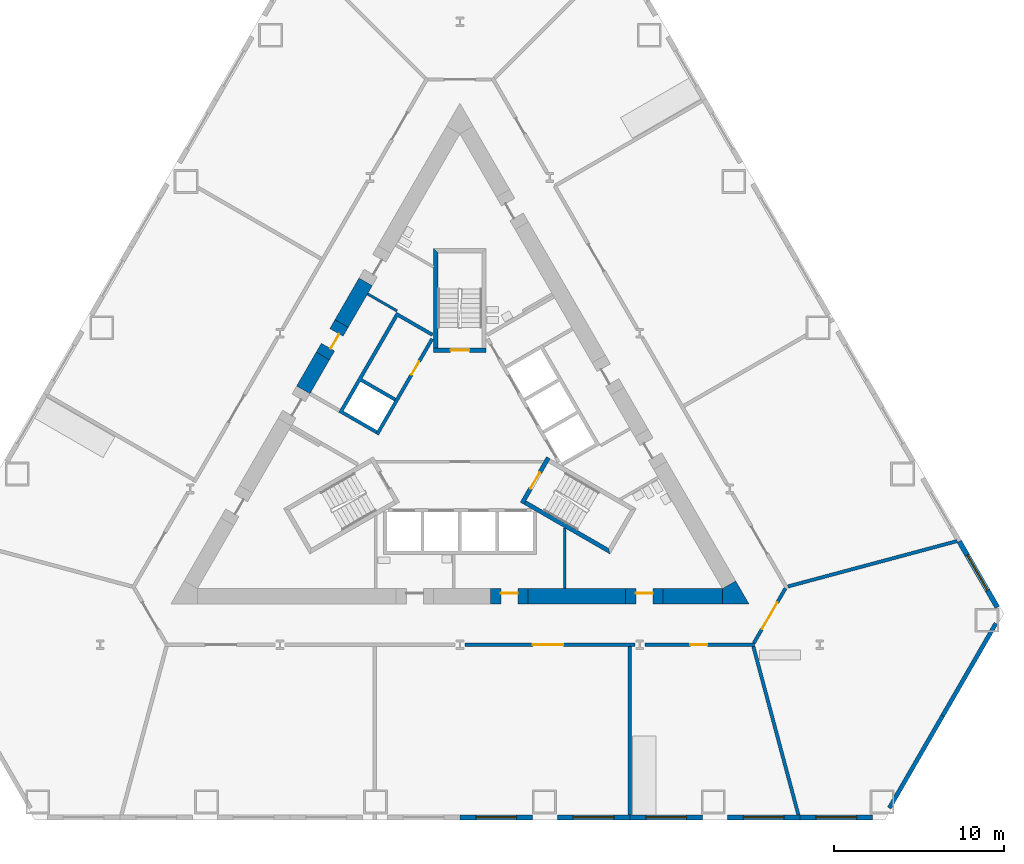
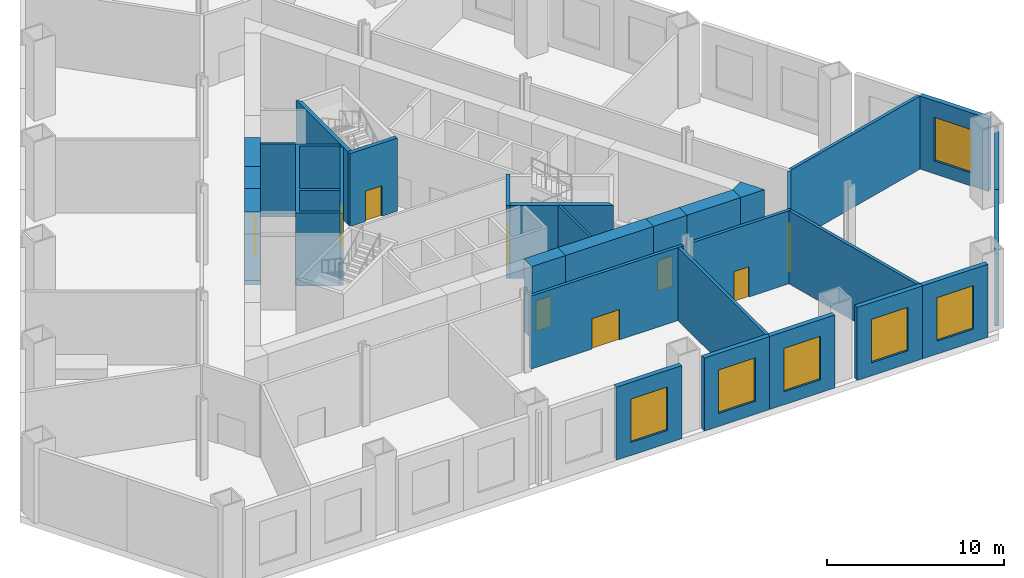
# One storey, part 3 of 9: 30 walls, 9 doors, 6 windows, 15 openings.
"""IFC4 building model written with IfcOpenShell, lengths in metres."""

from ifc_helpers import new_model, si_unit, direction, frame, frame_2d, origin, place, context, subcontext, project, spatial, polyline, rectangle, outline, extrude, material, layer, layer_set, type_object, element, fill, save


model = new_model("IFC4")

# Units and contexts
model_context = context("Model", 3, precision=1e-05, world=origin(), true_north=direction((0.0, 1.0)))
body_context = subcontext(model_context, "Body", "Model", "MODEL_VIEW")
ifc_project = project(units=[si_unit("LENGTHUNIT", "METRE"), si_unit("AREAUNIT", "SQUARE_METRE"), si_unit("VOLUMEUNIT", "CUBIC_METRE"), si_unit("PLANEANGLEUNIT", "RADIAN"), si_unit("MASSUNIT", "GRAM", prefix="KILO")], contexts=[model_context])

# Site, building, storey
site_placement = place(None, origin())
site = spatial("IfcSite", under=ifc_project, at=site_placement, CompositionType="ELEMENT")
building_placement = place(site_placement, origin())
building = spatial("IfcBuilding", under=site, at=building_placement, Name="Cormorant Prow Tower", CompositionType="ELEMENT")
storey_placement = place(building_placement, frame((0.0, 0.0, 15.5)))
storey = spatial("IfcBuildingStorey", under=building, at=storey_placement, Name="L02", CompositionType="ELEMENT", Elevation=15.5)

# Walls
ifc_material_1 = material(Name="Gypsum board partition")
ifc_layer_1 = layer(ifc_material_1, 0.14990234375)
ifc_layer_set_1 = layer_set([ifc_layer_1], Name="Gypsum board partition")
wall_type_1 = type_object("IfcWallType", Name="Core partition 150", PredefinedType="PARTITIONING", material=ifc_layer_set_1)
wall_1_placement = place(storey_placement, frame((-3.693359375, 7.4150390625, 0.0), z_axis=(0.0, 0.0, 1.0), x_axis=(-0.866035824272, 0.499981950752, 0.0)))
element("IfcWall", 1, at=wall_1_placement, inside=storey, type_object=wall_type_1, Name="Service room partition", PredefinedType="PARTITIONING", context=body_context, shape_type="SweptSolid", body=[
    extrude(rectangle(XDim=2.0087890625, YDim=0.14990234375, at=frame_2d((1.00439453125, 0.0))), origin(), (0.0, 0.0, 1.0), 5.050048828125),
])
wall_2_placement = place(storey_placement, frame((6.176513671875, -8.9150390625, 0.0), z_axis=(0.0, 0.0, 1.0), x_axis=(0.0, 1.0, 0.0)))
element("IfcWall", 2, at=wall_2_placement, inside=storey, type_object=wall_type_1, Name="Service room partition", PredefinedType="PARTITIONING", context=body_context, shape_type="SweptSolid", body=[
    extrude(rectangle(XDim=3.576171875, YDim=0.14990234375, at=frame_2d((1.7880859375, 0.0))), origin(), (0.0, 0.0, 1.0), 5.050048828125),
])
ifc_material_2 = material(Name="Concrete 8000 psi", Category="concrete")
ifc_layer_2 = layer(ifc_material_2, 0.89990234375)
ifc_layer_set_2 = layer_set([ifc_layer_2], Name="Concrete 8000 psi")
wall_type_2 = type_object("IfcWallType", Name="Core shear wall 900", PredefinedType="SHEAR", material=ifc_layer_set_2)
wall_3_placement = place(storey_placement, frame((4.007568359375, -9.364990234375, 0.0), z_axis=(0.0, 0.0, 1.0), x_axis=(1.0, 0.0, 0.0)))
element("IfcWall", 3, at=wall_3_placement, inside=storey, type_object=wall_type_2, Name="Core wall", PredefinedType="SHEAR", context=body_context, shape_type="SweptSolid", body=[
    extrude(rectangle(XDim=5.73876953125, YDim=0.89990234375, at=frame_2d((2.869384765625, 0.0))), origin(), (0.0, 0.0, 1.0), 5.050048828125),
])
wall_4_placement = place(storey_placement, frame((11.9462890625, -9.364990234375, 0.0), z_axis=(0.0, 0.0, 1.0), x_axis=(1.0, 0.0, 0.0)))
element("IfcWall", 4, at=wall_4_placement, inside=storey, type_object=wall_type_2, Name="Core wall", PredefinedType="SHEAR", context=body_context, shape_type="SweptSolid", body=[
    extrude(rectangle(XDim=3.494873046875, YDim=0.89990234375, at=frame_2d((1.74755859375, 0.0))), origin(), (0.0, 0.0, 1.0), 5.050048828125),
])
wall_5_placement = place(storey_placement, frame((-5.544677734375, 9.126220703125, 0.0), z_axis=(0.0, 0.0, 1.0), x_axis=(-0.499978737809, -0.866037679168, 0.0)))
element("IfcWall", 5, at=wall_5_placement, inside=storey, type_object=wall_type_2, Name="Core wall", PredefinedType="SHEAR", context=body_context, shape_type="SweptSolid", body=[
    extrude(rectangle(XDim=2.8310546875, YDim=0.89990234375, at=frame_2d((1.41552734375, 0.0))), origin(), (0.0, 0.0, 1.0), 5.050048828125),
])
wall_6_placement = place(storey_placement, frame((-8.060302734375, 4.76904296875, 0.0), z_axis=(0.0, 0.0, 1.0), x_axis=(-0.499952165731, -0.866053019151, 0.0)))
element("IfcWall", 6, at=wall_6_placement, inside=storey, type_object=wall_type_2, Name="Core wall", PredefinedType="SHEAR", context=body_context, shape_type="SweptSolid", body=[
    extrude(rectangle(XDim=2.300048828125, YDim=0.89990234375, at=frame_2d((1.14990234375, 0.0))), origin(), (0.0, 0.0, 1.0), 5.050048828125),
])
wall_7_placement = place(storey_placement, origin())
element("IfcWall", 7, at=wall_7_placement, inside=storey, type_object=wall_type_2, Name="Core wall corner", PredefinedType="SHEAR", context=body_context, shape_type="SweptSolid", body=[
    extrude(outline(polyline([(15.441162109375, -9.81494140625), (15.441162109375, -8.9150390625), (16.220703125, -8.465087890625), (17.0, -9.81494140625), (15.441162109375, -9.81494140625)])), origin(), (0.0, 0.0, 1.0), 5.050048828125),
])

# Wall, opening, door
wall_8_placement = place(storey_placement, frame((1.8076171875, -9.364990234375, 0.0), z_axis=(0.0, 0.0, 1.0), x_axis=(1.0, 0.0, 0.0)))
wall_8 = element("IfcWall", 8, at=wall_8_placement, inside=storey, type_object=wall_type_2, Name="Core wall door panel", PredefinedType="SHEAR", context=body_context, shape_type="SweptSolid", body=[
    extrude(rectangle(XDim=2.199951171875, YDim=0.89990234375, at=frame_2d((1.10009765625, 0.0))), origin(), (0.0, 0.0, 1.0), 5.050048828125),
])
opening_1_placement = place(wall_8_placement, frame((0.60009765625, 0.0, 0.0)))
opening_1 = element("IfcOpeningElement", 9, at=opening_1_placement, cuts=wall_8, Name="Opening L02-C15", PredefinedType="OPENING", context=body_context, shape_type="SweptSolid", body=[
    extrude(rectangle(XDim=1.0, YDim=2.10009765625, at=frame_2d((0.5, 1.050048828125))), frame((0.0, 0.4599609375, 0.0), z_axis=(0.0, -1.0, 0.0), x_axis=(1.0, 0.0, 0.0)), (0.0, 0.0, 1.0), 0.919921875),
])
ifc_material_3 = material(Name="Painted steel", Category="steel")
door_type_1 = type_object("IfcDoorType", Name="Service door 1000x2100", OperationType="NOTDEFINED", PredefinedType="DOOR", material=ifc_material_3)
door_1_placement = place(opening_1_placement, origin())
door_1 = element("IfcDoor", 10, at=door_1_placement, inside=storey, type_object=door_type_1, Name="Core door, Electrical room", OperationType="SINGLE_SWING_LEFT", OverallHeight=2.10009765625, OverallWidth=1.0, PredefinedType="DOOR", context=body_context, shape_type="SweptSolid", body=[
    extrude(rectangle(XDim=1.0, YDim=2.10009765625, at=frame_2d((0.5, 1.050048828125))), frame((0.0, 0.205078125, 0.0), z_axis=(0.0, -1.0, 0.0), x_axis=(1.0, 0.0, 0.0)), (0.0, 0.0, 1.0), 0.050048828125),
])
fill(opening_1, door_1)

wall_9_placement = place(storey_placement, frame((9.746337890625, -9.364990234375, 0.0), z_axis=(0.0, 0.0, 1.0), x_axis=(1.0, 0.0, 0.0)))
wall_9 = element("IfcWall", 11, at=wall_9_placement, inside=storey, type_object=wall_type_2, Name="Core wall door panel", PredefinedType="SHEAR", context=body_context, shape_type="SweptSolid", body=[
    extrude(rectangle(XDim=2.199951171875, YDim=0.89990234375, at=frame_2d((1.10009765625, 0.0))), origin(), (0.0, 0.0, 1.0), 5.050048828125),
])
opening_2_placement = place(wall_9_placement, frame((0.60009765625, 0.0, 0.0)))
opening_2 = element("IfcOpeningElement", 12, at=opening_2_placement, cuts=wall_9, Name="Opening L02-C16", PredefinedType="OPENING", context=body_context, shape_type="SweptSolid", body=[
    extrude(rectangle(XDim=1.0, YDim=2.10009765625, at=frame_2d((0.5, 1.050048828125))), frame((0.0, 0.4599609375, 0.0), z_axis=(0.0, -1.0, 0.0), x_axis=(1.0, 0.0, 0.0)), (0.0, 0.0, 1.0), 0.919921875),
])
door_2_placement = place(opening_2_placement, origin())
door_2 = element("IfcDoor", 13, at=door_2_placement, inside=storey, type_object=door_type_1, Name="Core door, Toilets (men) L02", OperationType="SINGLE_SWING_LEFT", OverallHeight=2.10009765625, OverallWidth=1.0, PredefinedType="DOOR", context=body_context, shape_type="SweptSolid", body=[
    extrude(rectangle(XDim=1.0, YDim=2.10009765625, at=frame_2d((0.5, 1.050048828125))), frame((0.0, 0.205078125, 0.0), z_axis=(0.0, -1.0, 0.0), x_axis=(1.0, 0.0, 0.0)), (0.0, 0.0, 1.0), 0.050048828125),
])
fill(opening_2, door_2)

wall_10_placement = place(storey_placement, frame((-6.960205078125, 6.67431640625, 0.0), z_axis=(0.0, 0.0, 1.0), x_axis=(-0.50002983664, -0.866008176907, 0.0)))
wall_10 = element("IfcWall", 14, at=wall_10_placement, inside=storey, type_object=wall_type_2, Name="Core wall door panel", PredefinedType="SHEAR", context=body_context, shape_type="SweptSolid", body=[
    extrude(rectangle(XDim=2.199951171875, YDim=0.89990234375, at=frame_2d((1.10009765625, 0.0))), origin(), (0.0, 0.0, 1.0), 5.050048828125),
])
opening_3_placement = place(wall_10_placement, frame((0.60009765625, 0.0, 0.0)))
opening_3 = element("IfcOpeningElement", 15, at=opening_3_placement, cuts=wall_10, Name="Opening L02-C20", PredefinedType="OPENING", context=body_context, shape_type="SweptSolid", body=[
    extrude(rectangle(XDim=1.0, YDim=2.10009765625, at=frame_2d((0.5, 1.050048828125))), frame((0.0, 0.4599609375, 0.0), z_axis=(0.0, -1.0, 0.0), x_axis=(1.0, 0.0, 0.0)), (0.0, 0.0, 1.0), 0.919921875),
])
door_3_placement = place(opening_3_placement, origin())
door_3 = element("IfcDoor", 16, at=door_3_placement, inside=storey, type_object=door_type_1, Name="Core door, Linen store", OperationType="SINGLE_SWING_LEFT", OverallHeight=2.10009765625, OverallWidth=1.0, PredefinedType="DOOR", context=body_context, shape_type="SweptSolid", body=[
    extrude(rectangle(XDim=1.0, YDim=2.10009765625, at=frame_2d((0.5, 1.050048828125))), frame((0.0, 0.205078125, 0.0), z_axis=(0.0, -1.0, 0.0), x_axis=(1.0, 0.0, 0.0)), (0.0, 0.0, 1.0), 0.050048828125),
])
fill(opening_3, door_3)

ifc_material_4 = material(Name="Gypsum board corridor wall")
ifc_layer_3 = layer(ifc_material_4, 0.199951171875)
ifc_layer_set_3 = layer_set([ifc_layer_3], Name="Gypsum board corridor wall")
wall_type_3 = type_object("IfcWallType", Name="Corridor wall 200", PredefinedType="PARTITIONING", material=ifc_layer_set_3)
wall_11_placement = place(storey_placement, frame((0.294921875, -12.215087890625, 0.0), z_axis=(0.0, 0.0, 1.0), x_axis=(1.0, 0.0, 0.0)))
wall_11 = element("IfcWall", 17, at=wall_11_placement, inside=storey, type_object=wall_type_3, Name="Corridor wall", PredefinedType="PARTITIONING", context=body_context, shape_type="SweptSolid", body=[
    extrude(rectangle(XDim=9.98876953125, YDim=0.199951171875, at=frame_2d((4.994384765625, 0.0))), origin(), (0.0, 0.0, 1.0), 5.050048828125),
])
opening_4_placement = place(wall_11_placement, frame((3.993408203125, 0.0, 0.0)))
opening_4 = element("IfcOpeningElement", 18, at=opening_4_placement, cuts=wall_11, Name="Opening L02-F10", PredefinedType="OPENING", context=body_context, shape_type="SweptSolid", body=[
    extrude(rectangle(XDim=1.800048828125, YDim=2.10009765625, at=frame_2d((0.89990234375, 1.050048828125))), frame((0.0, 0.10986328125, 0.0), z_axis=(0.0, -1.0, 0.0), x_axis=(1.0, 0.0, 0.0)), (0.0, 0.0, 1.0), 0.219970703125),
])
ifc_material_5 = material(Name="Timber door leaf", Category="wood")
door_type_2 = type_object("IfcDoorType", Name="Double door 1800x2100", OperationType="DOUBLE_DOOR_SINGLE_SWING", PredefinedType="DOOR", material=ifc_material_5)
door_4_placement = place(opening_4_placement, origin())
door_4 = element("IfcDoor", 19, at=door_4_placement, inside=storey, type_object=door_type_2, Name="Serviced office door", OperationType="DOUBLE_DOOR_SINGLE_SWING", OverallHeight=2.10009765625, OverallWidth=1.800048828125, PredefinedType="DOOR", context=body_context, shape_type="SweptSolid", body=[
    extrude(rectangle(XDim=1.800048828125, YDim=2.10009765625, at=frame_2d((0.89990234375, 1.050048828125))), frame((0.0, 0.02490234375, 0.0), z_axis=(0.0, -1.0, 0.0), x_axis=(1.0, 0.0, 0.0)), (0.0, 0.0, 1.0), 0.050048828125),
])
fill(opening_4, door_4)

wall_12_placement = place(storey_placement, frame((10.873291015625, -12.215087890625, 0.0), z_axis=(0.0, 0.0, 1.0), x_axis=(1.0, 0.0, 0.0)))
wall_12 = element("IfcWall", 20, at=wall_12_placement, inside=storey, type_object=wall_type_3, Name="Corridor wall", PredefinedType="PARTITIONING", context=body_context, shape_type="SweptSolid", body=[
    extrude(rectangle(XDim=6.45751953125, YDim=0.199951171875, at=frame_2d((3.228759765625, 0.0))), origin(), (0.0, 0.0, 1.0), 5.050048828125),
])
opening_5_placement = place(wall_12_placement, frame((2.67822265625, 0.0, 0.0)))
opening_5 = element("IfcOpeningElement", 21, at=opening_5_placement, cuts=wall_12, Name="Opening L02-F02", PredefinedType="OPENING", context=body_context, shape_type="SweptSolid", body=[
    extrude(rectangle(XDim=1.0, YDim=2.10009765625, at=frame_2d((0.5, 1.050048828125))), frame((0.0, 0.10986328125, 0.0), z_axis=(0.0, -1.0, 0.0), x_axis=(1.0, 0.0, 0.0)), (0.0, 0.0, 1.0), 0.219970703125),
])
ifc_material_6 = material(Name="Timber door leaf", Category="wood")
door_type_3 = type_object("IfcDoorType", Name="Flat or room entrance door 1000x2100", OperationType="NOTDEFINED", PredefinedType="DOOR", material=ifc_material_6)
door_5_placement = place(opening_5_placement, origin())
door_5 = element("IfcDoor", 22, at=door_5_placement, inside=storey, type_object=door_type_3, Name="Meeting suite door", OperationType="SINGLE_SWING_RIGHT", OverallHeight=2.10009765625, OverallWidth=1.0, PredefinedType="DOOR", context=body_context, shape_type="SweptSolid", body=[
    extrude(rectangle(XDim=1.0, YDim=2.10009765625, at=frame_2d((0.5, 1.050048828125))), frame((0.0, 0.02490234375, 0.0), z_axis=(0.0, -1.0, 0.0), x_axis=(1.0, 0.0, 0.0)), (0.0, 0.0, 1.0), 0.050048828125),
])
fill(opening_5, door_5)

wall_13_placement = place(storey_placement, frame((17.281005859375, -12.12841796875, 0.0), z_axis=(0.0, 0.0, 1.0), x_axis=(0.499958791762, 0.866049194065, 0.0)))
wall_13 = element("IfcWall", 23, at=wall_13_placement, inside=storey, type_object=wall_type_3, Name="Corridor wall", PredefinedType="PARTITIONING", context=body_context, shape_type="SweptSolid", body=[
    extrude(rectangle(XDim=3.725830078125, YDim=0.199951171875, at=frame_2d((1.86279296875, 0.0))), origin(), (0.0, 0.0, 1.0), 5.050048828125),
])
opening_6_placement = place(wall_13_placement, frame((0.962890625, 0.0, 0.0)))
opening_6 = element("IfcOpeningElement", 24, at=opening_6_placement, cuts=wall_13, Name="Opening L02-F04", PredefinedType="OPENING", context=body_context, shape_type="SweptSolid", body=[
    extrude(rectangle(XDim=1.800048828125, YDim=2.10009765625, at=frame_2d((0.89990234375, 1.050048828125))), frame((0.0, 0.10986328125, 0.0), z_axis=(0.0, -1.0, 0.0), x_axis=(1.0, 0.0, 0.0)), (0.0, 0.0, 1.0), 0.219970703125),
])
door_6_placement = place(opening_6_placement, origin())
door_6 = element("IfcDoor", 25, at=door_6_placement, inside=storey, type_object=door_type_2, Name="Catering kitchen door", OperationType="DOUBLE_DOOR_SINGLE_SWING", OverallHeight=2.10009765625, OverallWidth=1.800048828125, PredefinedType="DOOR", context=body_context, shape_type="SweptSolid", body=[
    extrude(rectangle(XDim=1.800048828125, YDim=2.10009765625, at=frame_2d((0.89990234375, 1.050048828125))), frame((0.0, 0.02490234375, 0.0), z_axis=(0.0, -1.0, 0.0), x_axis=(1.0, 0.0, 0.0)), (0.0, 0.0, 1.0), 0.050048828125),
])
fill(opening_6, door_6)

# Walls
ifc_material_7 = material(Name="Gypsum board demising wall")
ifc_layer_4 = layer(ifc_material_7, 0.199951171875)
ifc_layer_set_4 = layer_set([ifc_layer_4], Name="Gypsum board demising wall")
wall_type_4 = type_object("IfcWallType", Name="Demising wall 200", PredefinedType="PARTITIONING", material=ifc_layer_set_4)
for number, where, z_axis, x_axis, name in (
    (26, (19.29052734375, -8.7890625, 0.0), (0.0, 0.0, 1.0), (0.965818413341, 0.259219583464, 0.0), "Demising wall"),
    (27, (17.256591796875, -12.3115234375, 0.0), (0.0, 0.0, 1.0), (0.258415425443, -0.966033885479, 0.0), "Demising wall"),
):
    element("IfcWall", number, at=place(storey_placement, frame(where, z_axis=z_axis, x_axis=x_axis)), inside=storey, type_object=wall_type_4, Name=name, PredefinedType="PARTITIONING", context=body_context, shape_type="SweptSolid", body=[
        extrude(rectangle(XDim=10.31396484375, YDim=0.199951171875, at=frame_2d((5.156982421875, 0.0))), origin(), (0.0, 0.0, 1.0), 5.050048828125),
    ])
wall_14_placement = place(storey_placement, frame((10.0, -22.296630859375, 0.0), z_axis=(0.0, 0.0, 1.0), x_axis=(0.0, 1.0, 0.0)))
element("IfcWall", 28, at=wall_14_placement, inside=storey, type_object=wall_type_4, Name="Demising wall", PredefinedType="PARTITIONING", context=body_context, shape_type="SweptSolid", body=[
    extrude(rectangle(XDim=9.981689453125, YDim=0.199951171875, at=frame_2d((4.99072265625, 0.0))), origin(), (0.0, 0.0, 1.0), 5.050048828125),
])

# Wall, opening, door
ifc_material_8 = material(Name="Concrete 5000 psi", Category="concrete")
ifc_layer_5 = layer(ifc_material_8, 0.199951171875)
ifc_layer_set_5 = layer_set([ifc_layer_5], Name="Concrete 5000 psi")
wall_type_5 = type_object("IfcWallType", Name="Lift lobby wall 200", PredefinedType="SOLIDWALL", material=ifc_layer_set_5)
wall_15_placement = place(storey_placement, frame((-1.630615234375, 5.775634765625, 0.0), z_axis=(0.0, 0.0, 1.0), x_axis=(-0.499992876559, -0.866029516466, 0.0)))
wall_15 = element("IfcWall", 29, at=wall_15_placement, inside=storey, type_object=wall_type_5, Name="Lift lobby wall, WNW block", PredefinedType="SOLIDWALL", context=body_context, shape_type="SweptSolid", body=[
    extrude(rectangle(XDim=6.486328125, YDim=0.199951171875, at=frame_2d((3.2431640625, 0.0))), origin(), (0.0, 0.0, 1.0), 5.050048828125),
])
opening_7_placement = place(wall_15_placement, frame((1.53662109375, 0.0, 0.0)))
opening_7 = element("IfcOpeningElement", 30, at=opening_7_placement, cuts=wall_15, Name="Opening L02-C09", PredefinedType="OPENING", context=body_context, shape_type="SweptSolid", body=[
    extrude(rectangle(XDim=0.89990234375, YDim=2.10009765625, at=frame_2d((0.449951171875, 1.050048828125))), frame((0.0, 0.10986328125, 0.0), z_axis=(0.0, -1.0, 0.0), x_axis=(1.0, 0.0, 0.0)), (0.0, 0.0, 1.0), 0.219970703125),
])
ifc_material_9 = material(Name="Painted steel", Category="steel")
door_type_4 = type_object("IfcDoorType", Name="Service door 900x2100", OperationType="NOTDEFINED", PredefinedType="DOOR", material=ifc_material_9)
door_7_placement = place(opening_7_placement, origin())
door_7 = element("IfcDoor", 31, at=door_7_placement, inside=storey, type_object=door_type_4, Name="Service door, Linen store", OperationType="SINGLE_SWING_LEFT", OverallHeight=2.10009765625, OverallWidth=0.89990234375, PredefinedType="DOOR", context=body_context, shape_type="SweptSolid", body=[
    extrude(rectangle(XDim=0.89990234375, YDim=2.10009765625, at=frame_2d((0.449951171875, 1.050048828125))), frame((0.0, 0.02490234375, 0.0), z_axis=(0.0, -1.0, 0.0), x_axis=(1.0, 0.0, 0.0)), (0.0, 0.0, 1.0), 0.050048828125),
])
fill(opening_7, door_7)

# Walls
ifc_material_10 = material(Name="Concrete 8000 psi", Category="concrete")
ifc_layer_6 = layer(ifc_material_10, 0.199951171875)
ifc_layer_set_6 = layer_set([ifc_layer_6], Name="Concrete 8000 psi")
wall_type_6 = type_object("IfcWallType", Name="Lift shaft wall 200", PredefinedType="SHEAR", material=ifc_layer_set_6)
wall_16_placement = place(storey_placement, origin())
element("IfcWall", 32, at=wall_16_placement, inside=storey, type_object=wall_type_6, Name="Lift shaft walls, WNW block", PredefinedType="SHEAR", context=body_context, shape_type="SweptSolid", body=[
    extrude(outline(polyline([(-4.96044921875, 0.2080078125), (-7.130859375, 1.461181640625), (-3.730712890625, 7.35009765625), (-1.560546875, 6.09716796875), (-1.660400390625, 5.923828125), (-3.65234375, 7.073974609375), (-5.75244140625, 3.4365234375), (-3.760498046875, 2.28662109375), (-3.860595703125, 2.11328125), (-5.852294921875, 3.263427734375), (-6.852294921875, 1.53125), (-4.860595703125, 0.38134765625), (-4.96044921875, 0.2080078125)])), origin(), (0.0, 0.0, 1.0), 5.050048828125),
])
ifc_material_11 = material(Name="Concrete 8000 psi", Category="concrete")
ifc_layer_7 = layer(ifc_material_11, 0.25)
ifc_layer_set_7 = layer_set([ifc_layer_7], Name="Concrete 8000 psi")
wall_type_7 = type_object("IfcWallType", Name="Stair wall 250", PredefinedType="SHEAR", material=ifc_layer_set_7)
wall_17_placement = place(storey_placement, origin())
element("IfcWall", 33, at=wall_17_placement, inside=storey, type_object=wall_type_7, Name="Stair ST2 enclosure wall (flank)", PredefinedType="SHEAR", context=body_context, shape_type="SweptSolid", body=[
    extrude(outline(polyline([(3.76318359375, -3.95556640625), (8.82958984375, -6.880615234375), (8.738037109375, -6.5390625), (3.88818359375, -3.739013671875), (3.76318359375, -3.95556640625)])), origin(), (0.0, 0.0, 1.0), 5.050048828125),
])

# Wall, opening, door
wall_18_placement = place(storey_placement, frame((3.655029296875, -3.89306640625, 0.0), z_axis=(0.0, 0.0, 1.0), x_axis=(0.499982516597, 0.866035497597, 0.0)))
wall_18 = element("IfcWall", 34, at=wall_18_placement, inside=storey, type_object=wall_type_7, Name="Stair ST2 door wall", PredefinedType="SHEAR", context=body_context, shape_type="SweptSolid", body=[
    extrude(rectangle(XDim=3.087890625, YDim=0.25, at=frame_2d((1.5439453125, 0.0))), origin(), (0.0, 0.0, 1.0), 5.050048828125),
])
opening_8_placement = place(wall_18_placement, frame((0.993896484375, 0.0, 0.0)))
opening_8 = element("IfcOpeningElement", 35, at=opening_8_placement, cuts=wall_18, Name="Opening L02-C12", PredefinedType="OPENING", context=body_context, shape_type="SweptSolid", body=[
    extrude(rectangle(XDim=1.10009765625, YDim=2.10009765625, at=frame_2d((0.550048828125, 1.050048828125))), frame((0.0, 0.135009765625, 0.0), z_axis=(0.0, -1.0, 0.0), x_axis=(1.0, 0.0, 0.0)), (0.0, 0.0, 1.0), 0.27001953125),
])
ifc_material_12 = material(Name="Painted steel", Category="steel")
door_type_5 = type_object("IfcDoorType", Name="Stair door 1100x2100", OperationType="NOTDEFINED", PredefinedType="DOOR", material=ifc_material_12)
door_8_placement = place(opening_8_placement, origin())
door_8 = element("IfcDoor", 36, at=door_8_placement, inside=storey, type_object=door_type_5, Name="Stair ST2 door", OperationType="SINGLE_SWING_RIGHT", OverallHeight=2.10009765625, OverallWidth=1.10009765625, PredefinedType="DOOR", context=body_context, shape_type="SweptSolid", body=[
    extrude(rectangle(XDim=1.10009765625, YDim=2.10009765625, at=frame_2d((0.550048828125, 1.050048828125))), frame((0.0, 0.02490234375, 0.0), z_axis=(0.0, -1.0, 0.0), x_axis=(1.0, 0.0, 0.0)), (0.0, 0.0, 1.0), 0.050048828125),
])
fill(opening_8, door_8)

# Wall
wall_19_placement = place(storey_placement, origin())
element("IfcWall", 37, at=wall_19_placement, inside=storey, type_object=wall_type_7, Name="Stair ST3 enclosure wall (flank)", PredefinedType="SHEAR", context=body_context, shape_type="SweptSolid", body=[
    extrude(outline(polyline([(-1.2939453125, 10.8369140625), (-1.5439453125, 11.0869140625), (-1.5439453125, 5.23681640625), (-1.2939453125, 5.23681640625), (-1.2939453125, 10.8369140625)])), origin(), (0.0, 0.0, 1.0), 5.050048828125),
])

# Wall, opening, door
wall_20_placement = place(storey_placement, frame((1.5439453125, 5.11181640625, 0.0), z_axis=(0.0, 0.0, 1.0), x_axis=(-1.0, 0.0, 0.0)))
wall_20 = element("IfcWall", 38, at=wall_20_placement, inside=storey, type_object=wall_type_7, Name="Stair ST3 door wall", PredefinedType="SHEAR", context=body_context, shape_type="SweptSolid", body=[
    extrude(rectangle(XDim=3.087890625, YDim=0.25, at=frame_2d((1.5439453125, 0.0))), origin(), (0.0, 0.0, 1.0), 5.050048828125),
])
opening_9_placement = place(wall_20_placement, frame((0.993896484375, 0.0, 0.0)))
opening_9 = element("IfcOpeningElement", 39, at=opening_9_placement, cuts=wall_20, Name="Opening L02-C13", PredefinedType="OPENING", context=body_context, shape_type="SweptSolid", body=[
    extrude(rectangle(XDim=1.10009765625, YDim=2.10009765625, at=frame_2d((0.550048828125, 1.050048828125))), frame((0.0, 0.135009765625, 0.0), z_axis=(0.0, -1.0, 0.0), x_axis=(1.0, 0.0, 0.0)), (0.0, 0.0, 1.0), 0.27001953125),
])
door_9_placement = place(opening_9_placement, origin())
door_9 = element("IfcDoor", 40, at=door_9_placement, inside=storey, type_object=door_type_5, Name="Stair ST3 door", OperationType="SINGLE_SWING_RIGHT", OverallHeight=2.10009765625, OverallWidth=1.10009765625, PredefinedType="DOOR", context=body_context, shape_type="SweptSolid", body=[
    extrude(rectangle(XDim=1.10009765625, YDim=2.10009765625, at=frame_2d((0.550048828125, 1.050048828125))), frame((0.0, 0.02490234375, 0.0), z_axis=(0.0, -1.0, 0.0), x_axis=(1.0, 0.0, 0.0)), (0.0, 0.0, 1.0), 0.050048828125),
])
fill(opening_9, door_9)

# Walls
ifc_material_13 = material(Name="Terracotta", Category="masonry")
ifc_layer_8 = layer(ifc_material_13, 0.25)
ifc_layer_set_8 = layer_set([ifc_layer_8], Name="Terracotta")
wall_type_8 = type_object("IfcWallType", Name="Terracotta bay wall 250", PredefinedType="SOLIDWALL", material=ifc_layer_set_8)
wall_21_placement = place(storey_placement, frame((25.2568359375, -21.822021484375, 0.0), z_axis=(0.0, 0.0, 1.0), x_axis=(0.5000044583, 0.866022829768, 0.0)))
element("IfcWall", 41, at=wall_21_placement, inside=storey, type_object=wall_type_8, Name="Terracotta bay wall ESE00", PredefinedType="SOLIDWALL", context=body_context, shape_type="SweptSolid", body=[
    extrude(rectangle(XDim=6.27001953125, YDim=0.25, at=frame_2d((3.135009765625, 0.0))), origin(), (0.0, 0.0, 1.0), 5.050048828125),
])
wall_22_placement = place(storey_placement, frame((28.391845703125, -16.39208984375, 0.0), z_axis=(0.0, 0.0, 1.0), x_axis=(0.499987597971, 0.866032563981, 0.0)))
element("IfcWall", 42, at=wall_22_placement, inside=storey, type_object=wall_type_8, Name="Terracotta bay wall ESE01", PredefinedType="SOLIDWALL", context=body_context, shape_type="SweptSolid", body=[
    extrude(rectangle(XDim=6.270263671875, YDim=0.25, at=frame_2d((3.13525390625, 0.0))), origin(), (0.0, 0.0, 1.0), 5.050048828125),
])

# Wall, opening, window
ifc_material_14 = material(Name="Terracotta", Category="masonry")
ifc_layer_9 = layer(ifc_material_14, 0.300048828125)
ifc_layer_set_9 = layer_set([ifc_layer_9], Name="Terracotta")
wall_type_9 = type_object("IfcWallType", Name="Terracotta podium cladding wall 300", PredefinedType="SOLIDWALL", material=ifc_layer_set_9)
wall_23_placement = place(storey_placement, frame((0.0, -22.36669921875, 0.0), z_axis=(0.0, 0.0, 1.0), x_axis=(1.0, 0.0, 0.0)))
wall_23 = element("IfcWall", 43, at=wall_23_placement, inside=storey, type_object=wall_type_9, Name="Terracotta podium wall S05", PredefinedType="SOLIDWALL", context=body_context, shape_type="SweptSolid", body=[
    extrude(rectangle(XDim=4.27001953125, YDim=0.300048828125, at=frame_2d((2.135009765625, 0.0))), origin(), (0.0, 0.0, 1.0), 5.050048828125),
])
opening_10_placement = place(wall_23_placement, frame((0.93505859375, 0.0, 0.89990234375)))
opening_10 = element("IfcOpeningElement", 44, at=opening_10_placement, cuts=wall_23, Name="Opening WN21", PredefinedType="OPENING", context=body_context, shape_type="SweptSolid", body=[
    extrude(rectangle(XDim=2.39990234375, YDim=3.0, at=frame_2d((1.199951171875, 1.5))), frame((0.0, 0.159912109375, 0.0), z_axis=(0.0, -1.0, 0.0), x_axis=(1.0, 0.0, 0.0)), (0.0, 0.0, 1.0), 0.320068359375),
])
ifc_material_15 = material(Name="Aluminium 6063-T6", Category="aluminium")
window_type = type_object("IfcWindowType", Name="Podium window 2400x3000", PartitioningType="SINGLE_PANEL", PredefinedType="WINDOW", material=ifc_material_15)
window_1_placement = place(opening_10_placement, origin())
window_1 = element("IfcWindow", 45, at=window_1_placement, inside=storey, type_object=window_type, Name="Podium window S05", OverallHeight=3.0, OverallWidth=2.39990234375, PartitioningType="SINGLE_PANEL", PredefinedType="WINDOW", context=body_context, shape_type="SweptSolid", body=[
    extrude(rectangle(XDim=2.39990234375, YDim=3.0, at=frame_2d((1.199951171875, 1.5))), frame((0.0, 0.030029296875, 0.0), z_axis=(0.0, -1.0, 0.0), x_axis=(1.0, 0.0, 0.0)), (0.0, 0.0, 1.0), 0.06005859375),
])
fill(opening_10, window_1)

wall_24_placement = place(storey_placement, frame((5.72998046875, -22.36669921875, 0.0), z_axis=(0.0, 0.0, 1.0), x_axis=(1.0, 0.0, 0.0)))
wall_24 = element("IfcWall", 46, at=wall_24_placement, inside=storey, type_object=wall_type_9, Name="Terracotta podium wall S06", PredefinedType="SOLIDWALL", context=body_context, shape_type="SweptSolid", body=[
    extrude(rectangle(XDim=4.27001953125, YDim=0.300048828125, at=frame_2d((2.135009765625, 0.0))), origin(), (0.0, 0.0, 1.0), 5.050048828125),
])
opening_11_placement = place(wall_24_placement, frame((0.93505859375, 0.0, 0.89990234375)))
opening_11 = element("IfcOpeningElement", 47, at=opening_11_placement, cuts=wall_24, Name="Opening WN21", PredefinedType="OPENING", context=body_context, shape_type="SweptSolid", body=[
    extrude(rectangle(XDim=2.39990234375, YDim=3.0, at=frame_2d((1.199951171875, 1.5))), frame((0.0, 0.159912109375, 0.0), z_axis=(0.0, -1.0, 0.0), x_axis=(1.0, 0.0, 0.0)), (0.0, 0.0, 1.0), 0.320068359375),
])
window_2_placement = place(opening_11_placement, origin())
window_2 = element("IfcWindow", 48, at=window_2_placement, inside=storey, type_object=window_type, Name="Podium window S06", OverallHeight=3.0, OverallWidth=2.39990234375, PartitioningType="SINGLE_PANEL", PredefinedType="WINDOW", context=body_context, shape_type="SweptSolid", body=[
    extrude(rectangle(XDim=2.39990234375, YDim=3.0, at=frame_2d((1.199951171875, 1.5))), frame((0.0, 0.030029296875, 0.0), z_axis=(0.0, -1.0, 0.0), x_axis=(1.0, 0.0, 0.0)), (0.0, 0.0, 1.0), 0.06005859375),
])
fill(opening_11, window_2)

wall_25_placement = place(storey_placement, frame((10.0, -22.36669921875, 0.0), z_axis=(0.0, 0.0, 1.0), x_axis=(1.0, 0.0, 0.0)))
wall_25 = element("IfcWall", 49, at=wall_25_placement, inside=storey, type_object=wall_type_9, Name="Terracotta podium wall S07", PredefinedType="SOLIDWALL", context=body_context, shape_type="SweptSolid", body=[
    extrude(rectangle(XDim=4.27001953125, YDim=0.300048828125, at=frame_2d((2.135009765625, 0.0))), origin(), (0.0, 0.0, 1.0), 5.050048828125),
])
opening_12_placement = place(wall_25_placement, frame((0.93505859375, 0.0, 0.89990234375)))
opening_12 = element("IfcOpeningElement", 50, at=opening_12_placement, cuts=wall_25, Name="Opening WN21", PredefinedType="OPENING", context=body_context, shape_type="SweptSolid", body=[
    extrude(rectangle(XDim=2.39990234375, YDim=3.0, at=frame_2d((1.199951171875, 1.5))), frame((0.0, 0.159912109375, 0.0), z_axis=(0.0, -1.0, 0.0), x_axis=(1.0, 0.0, 0.0)), (0.0, 0.0, 1.0), 0.320068359375),
])
window_3_placement = place(opening_12_placement, origin())
window_3 = element("IfcWindow", 51, at=window_3_placement, inside=storey, type_object=window_type, Name="Podium window S07", OverallHeight=3.0, OverallWidth=2.39990234375, PartitioningType="SINGLE_PANEL", PredefinedType="WINDOW", context=body_context, shape_type="SweptSolid", body=[
    extrude(rectangle(XDim=2.39990234375, YDim=3.0, at=frame_2d((1.199951171875, 1.5))), frame((0.0, 0.030029296875, 0.0), z_axis=(0.0, -1.0, 0.0), x_axis=(1.0, 0.0, 0.0)), (0.0, 0.0, 1.0), 0.06005859375),
])
fill(opening_12, window_3)

wall_26_placement = place(storey_placement, frame((15.72998046875, -22.36669921875, 0.0), z_axis=(0.0, 0.0, 1.0), x_axis=(1.0, 0.0, 0.0)))
wall_26 = element("IfcWall", 52, at=wall_26_placement, inside=storey, type_object=wall_type_9, Name="Terracotta podium wall S08", PredefinedType="SOLIDWALL", context=body_context, shape_type="SweptSolid", body=[
    extrude(rectangle(XDim=4.27001953125, YDim=0.300048828125, at=frame_2d((2.135009765625, 0.0))), origin(), (0.0, 0.0, 1.0), 5.050048828125),
])
opening_13_placement = place(wall_26_placement, frame((0.93505859375, 0.0, 0.89990234375)))
opening_13 = element("IfcOpeningElement", 53, at=opening_13_placement, cuts=wall_26, Name="Opening WN21", PredefinedType="OPENING", context=body_context, shape_type="SweptSolid", body=[
    extrude(rectangle(XDim=2.39990234375, YDim=3.0, at=frame_2d((1.199951171875, 1.5))), frame((0.0, 0.159912109375, 0.0), z_axis=(0.0, -1.0, 0.0), x_axis=(1.0, 0.0, 0.0)), (0.0, 0.0, 1.0), 0.320068359375),
])
window_4_placement = place(opening_13_placement, origin())
window_4 = element("IfcWindow", 54, at=window_4_placement, inside=storey, type_object=window_type, Name="Podium window S08", OverallHeight=3.0, OverallWidth=2.39990234375, PartitioningType="SINGLE_PANEL", PredefinedType="WINDOW", context=body_context, shape_type="SweptSolid", body=[
    extrude(rectangle(XDim=2.39990234375, YDim=3.0, at=frame_2d((1.199951171875, 1.5))), frame((0.0, 0.030029296875, 0.0), z_axis=(0.0, -1.0, 0.0), x_axis=(1.0, 0.0, 0.0)), (0.0, 0.0, 1.0), 0.06005859375),
])
fill(opening_13, window_4)

wall_27_placement = place(storey_placement, frame((20.0, -22.36669921875, 0.0), z_axis=(0.0, 0.0, 1.0), x_axis=(1.0, 0.0, 0.0)))
wall_27 = element("IfcWall", 55, at=wall_27_placement, inside=storey, type_object=wall_type_9, Name="Terracotta podium wall S09", PredefinedType="SOLIDWALL", context=body_context, shape_type="SweptSolid", body=[
    extrude(rectangle(XDim=4.27001953125, YDim=0.300048828125, at=frame_2d((2.135009765625, 0.0))), origin(), (0.0, 0.0, 1.0), 5.050048828125),
])
opening_14_placement = place(wall_27_placement, frame((0.93505859375, 0.0, 0.89990234375)))
opening_14 = element("IfcOpeningElement", 56, at=opening_14_placement, cuts=wall_27, Name="Opening WN21", PredefinedType="OPENING", context=body_context, shape_type="SweptSolid", body=[
    extrude(rectangle(XDim=2.39990234375, YDim=3.0, at=frame_2d((1.199951171875, 1.5))), frame((0.0, 0.159912109375, 0.0), z_axis=(0.0, -1.0, 0.0), x_axis=(1.0, 0.0, 0.0)), (0.0, 0.0, 1.0), 0.320068359375),
])
window_5_placement = place(opening_14_placement, origin())
window_5 = element("IfcWindow", 57, at=window_5_placement, inside=storey, type_object=window_type, Name="Podium window S09", OverallHeight=3.0, OverallWidth=2.39990234375, PartitioningType="SINGLE_PANEL", PredefinedType="WINDOW", context=body_context, shape_type="SweptSolid", body=[
    extrude(rectangle(XDim=2.39990234375, YDim=3.0, at=frame_2d((1.199951171875, 1.5))), frame((0.0, 0.030029296875, 0.0), z_axis=(0.0, -1.0, 0.0), x_axis=(1.0, 0.0, 0.0)), (0.0, 0.0, 1.0), 0.06005859375),
])
fill(opening_14, window_5)

wall_28_placement = place(storey_placement, frame((31.608154296875, -10.013671875, 0.0), z_axis=(0.0, 0.0, 1.0), x_axis=(-0.49999314502, 0.866029361473, 0.0)))
wall_28 = element("IfcWall", 58, at=wall_28_placement, inside=storey, type_object=wall_type_9, Name="Terracotta podium wall ENE00", PredefinedType="SOLIDWALL", context=body_context, shape_type="SweptSolid", body=[
    extrude(rectangle(XDim=4.47607421875, YDim=0.300048828125, at=frame_2d((2.238037109375, 0.0))), origin(), (0.0, 0.0, 1.0), 5.050048828125),
])
opening_15_placement = place(wall_28_placement, frame((1.141357421875, 0.0, 0.89990234375)))
opening_15 = element("IfcOpeningElement", 59, at=opening_15_placement, cuts=wall_28, Name="Opening WN21", PredefinedType="OPENING", context=body_context, shape_type="SweptSolid", body=[
    extrude(rectangle(XDim=2.39990234375, YDim=3.0, at=frame_2d((1.199951171875, 1.5))), frame((0.0, 0.159912109375, 0.0), z_axis=(0.0, -1.0, 0.0), x_axis=(1.0, 0.0, 0.0)), (0.0, 0.0, 1.0), 0.320068359375),
])
window_6_placement = place(opening_15_placement, origin())
window_6 = element("IfcWindow", 60, at=window_6_placement, inside=storey, type_object=window_type, Name="Podium window ENE00", OverallHeight=3.0, OverallWidth=2.39990234375, PartitioningType="SINGLE_PANEL", PredefinedType="WINDOW", context=body_context, shape_type="SweptSolid", body=[
    extrude(rectangle(XDim=2.39990234375, YDim=3.0, at=frame_2d((1.199951171875, 1.5))), frame((0.0, 0.030029296875, 0.0), z_axis=(0.0, -1.0, 0.0), x_axis=(1.0, 0.0, 0.0)), (0.0, 0.0, 1.0), 0.06005859375),
])
fill(opening_15, window_6)

save(model, "model.ifc")
